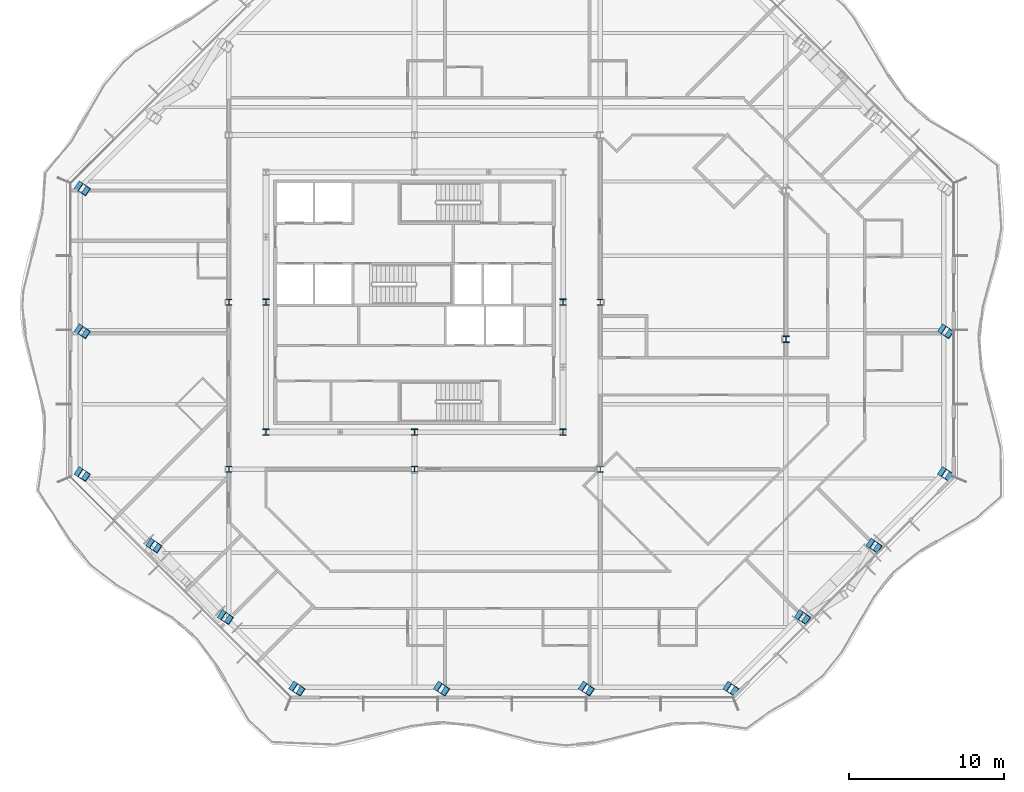
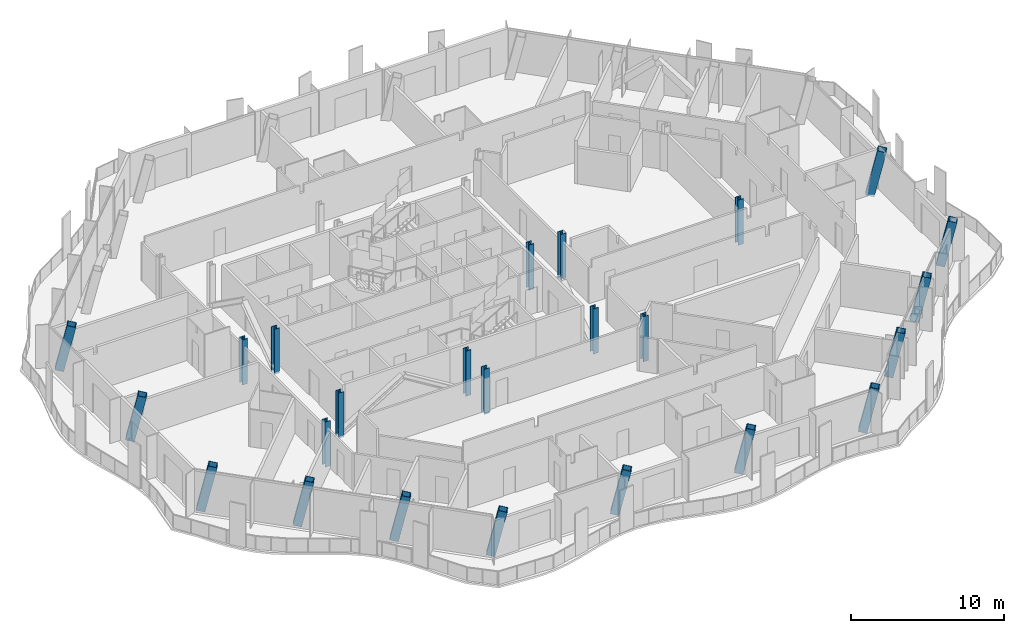
# One storey, part 1 of 19: 24 columns.
"""IFC4 building model written with IfcOpenShell, lengths in metres."""

import ifcopenshell
import ifcopenshell.guid

model = None  # the IFC model being written
_history = None  # IfcOwnerHistory: only IFC2X3 demands one
_inside = {}  # id of a spatial element -> (the spatial element, [elements in it])
_under = {}  # id of a project, library or spatial element -> (it, [spatial elements below it])
_declared = {}  # id of a project -> (the project, [libraries it declares])
_typed = {}  # id of a type object -> (the type object, [elements of that type])
_made_of = {}  # id of a material, layer set ... -> (it, [elements and type objects made of it])


def new_model(schema):
    """Start an empty IFC model of exactly this schema.

    Asked for "IFC4X3", IfcOpenShell would pick the latest addendum, in which some entities
    have other attributes; the version numbers below select the first issue.
    IFC2X3 requires an IfcOwnerHistory on every rooted entity: one is made here for all.
    """
    global model, _history
    if schema == "IFC4X3":
        model = ifcopenshell.file(schema_version=(4, 3, 0, 0))
    else:
        model = ifcopenshell.file(schema=schema)
    _inside.clear()
    _under.clear()
    _declared.clear()
    _typed.clear()
    _made_of.clear()
    _history = None
    if model.schema == "IFC2X3":
        org = make("IfcOrganization", Name="unknown")
        user = make(
            "IfcPersonAndOrganization",
            ThePerson=make("IfcPerson", FamilyName="unknown"),
            TheOrganization=org,
        )
        app = make(
            "IfcApplication",
            ApplicationDeveloper=org,
            Version="unknown",
            ApplicationFullName="unknown",
            ApplicationIdentifier="unknown",
        )
        _history = make(
            "IfcOwnerHistory",
            OwningUser=user,
            OwningApplication=app,
            ChangeAction="ADDED",
            CreationDate=0,
        )
    return model


def make(cls, **values):
    """One entity of the class cls with the attributes given. An attribute that is None is left unset."""
    return model.create_entity(
        cls, **{name: value for name, value in values.items() if value is not None}
    )


def rooted(cls, **values):
    """An entity with a GlobalId (a new one), such as an element, a storey or a relation."""
    return make(cls, GlobalId=ifcopenshell.guid.new(), OwnerHistory=_history, **values)


def si_unit(unit_type, name, prefix=None):
    """IfcSIUnit, for example si_unit("LENGTHUNIT", "METRE", prefix="MILLI")."""
    return make("IfcSIUnit", UnitType=unit_type, Prefix=prefix, Name=name)


def assignment(units):
    """IfcUnitAssignment: the units of a project."""
    return None if units is None else make("IfcUnitAssignment", Units=units)


def point(xyz):
    """IfcCartesianPoint."""
    return None if xyz is None else make("IfcCartesianPoint", Coordinates=xyz)


def direction(xyz):
    """IfcDirection."""
    return None if xyz is None else make("IfcDirection", DirectionRatios=xyz)


def frame(location, z_axis=None, x_axis=None):
    """IfcAxis2Placement3D, a coordinate frame: its origin and axes. An axis left out is left unset."""
    return make(
        "IfcAxis2Placement3D",
        Location=point(location),
        Axis=direction(z_axis),
        RefDirection=direction(x_axis),
    )


def frame_2d(location, x_axis=None):
    """IfcAxis2Placement2D, a coordinate frame in the plane: its origin and x axis."""
    return make(
        "IfcAxis2Placement2D", Location=point(location), RefDirection=direction(x_axis)
    )


def origin():
    """The frame at (0, 0, 0) with its axes left unset."""
    return frame((0.0, 0.0, 0.0))


def origin_2d():
    """The frame at (0, 0) in the plane with its x axis left unset."""
    return frame_2d((0.0, 0.0))


def place(relative_to, where):
    """IfcLocalPlacement: puts the frame where relative to a parent placement (None: the world)."""
    return make(
        "IfcLocalPlacement", PlacementRelTo=relative_to, RelativePlacement=where
    )


def context(
    kind, dimensions, precision=None, world=None, true_north=None, identifier=None
):
    """IfcGeometricRepresentationContext, for example the 3D "Model" context."""
    return make(
        "IfcGeometricRepresentationContext",
        ContextIdentifier=identifier,
        ContextType=kind,
        CoordinateSpaceDimension=dimensions,
        Precision=precision,
        WorldCoordinateSystem=world,
        TrueNorth=true_north,
    )


def subcontext(parent, identifier, kind, view, scale=None):
    """IfcGeometricRepresentationSubContext, for example "Body" below "Model"."""
    return make(
        "IfcGeometricRepresentationSubContext",
        ContextIdentifier=identifier,
        ContextType=kind,
        ParentContext=parent,
        TargetScale=scale,
        TargetView=view,
    )


def project(units=None, contexts=None):
    """IfcProject with its units and contexts."""
    return rooted(
        "IfcProject",
        Name="project",
        RepresentationContexts=contexts,
        UnitsInContext=assignment(units),
    )


def spatial(cls, under=None, at=None, **own):
    """A site, building, storey or space (cls), placed at a placement, below another one or the project."""
    s = rooted(cls, ObjectPlacement=at, **own)
    if under is not None:
        _under.setdefault(under.id(), (under, []))[1].append(s)
    return s


def profile(cls, at=None, kind="AREA", **sizes):
    """A parametric profile (cls). Its sizes go by their IFC names, for example OverallWidth=200.0."""
    return make(cls, ProfileType=kind, Position=at, **sizes)


def hollow_rectangle(**sizes):
    """IfcRectangleHollowProfileDef."""
    return profile("IfcRectangleHollowProfileDef", **sizes)


def i_section(**sizes):
    """IfcIShapeProfileDef."""
    return profile("IfcIShapeProfileDef", **sizes)


def extrude(swept, where, along, depth):
    """IfcExtrudedAreaSolid: the profile swept, set in the frame where, extruded along a direction by depth."""
    return make(
        "IfcExtrudedAreaSolid",
        SweptArea=swept,
        Position=where,
        ExtrudedDirection=direction(along),
        Depth=depth,
    )


def clip(a, b, op="DIFFERENCE"):
    """IfcBooleanClippingResult: the solid a cut by the half space b."""
    return make(
        "IfcBooleanClippingResult", Operator=op, FirstOperand=a, SecondOperand=b
    )


def halfspace(plane, agree):
    """IfcHalfSpaceSolid: all space on one side of the plane z = 0 of the frame plane."""
    return make(
        "IfcHalfSpaceSolid",
        BaseSurface=make("IfcPlane", Position=plane),
        AgreementFlag=agree,
    )


def shape(context_of_items, identifier, shape_type, items):
    """IfcShapeRepresentation: the items that make up one representation, for example the "Body"."""
    return make(
        "IfcShapeRepresentation",
        ContextOfItems=context_of_items,
        RepresentationIdentifier=identifier,
        RepresentationType=shape_type,
        Items=items,
    )


def material(Name=None, Category=None):
    """IfcMaterial."""
    return make("IfcMaterial", Name=Name, Category=Category)


def material_profile(
    of_material, cross_section, Name=None, Category=None, Priority=None
):
    """IfcMaterialProfile: a cross section and its material."""
    return make(
        "IfcMaterialProfile",
        Name=Name,
        Material=of_material,
        Profile=cross_section,
        Priority=Priority,
        Category=Category,
    )


def profile_set(profiles, Name=None, composite=None):
    """IfcMaterialProfileSet."""
    return make(
        "IfcMaterialProfileSet",
        Name=Name,
        MaterialProfiles=profiles,
        CompositeProfile=composite,
    )


def made_of(thing, what):
    """Note that an element or type object is made of a material, layer set ...; save() writes the relation."""
    if what is not None:
        _made_of.setdefault(what.id(), (what, []))[1].append(thing)
    return thing


def type_object(cls, material=None, **own):
    """A type object (cls), such as IfcWallType, which elements share."""
    return made_of(rooted(cls, **own), material)


def element(
    cls,
    number,
    at=None,
    inside=None,
    cuts=None,
    type_object=None,
    material=None,
    context=None,
    identifier="Body",
    shape_type=None,
    held_by="IfcProductDefinitionShape",
    body=None,
    shapes=None,
    **own,
):
    """One element of the class cls, such as IfcWall. Its Tag is "e" and its number.

    at: its placement. inside: the storey or other place that contains it. cuts: it is an
    opening in that element (IfcRelVoidsElement). A single representation is given by context,
    identifier, shape_type and body (its items); several are given by shapes. held_by: the class
    of the entity that holds the representations. save() writes the other relations.
    """
    e = rooted(cls, Tag="e%d" % number, ObjectPlacement=at, **own)
    if body is not None:
        shapes = [shape(context, identifier, shape_type, body)]
    if shapes is not None:
        e.Representation = make(held_by, Representations=shapes)
    if inside is not None:
        _inside.setdefault(inside.id(), (inside, []))[1].append(e)
    if cuts is not None:
        rooted(
            "IfcRelVoidsElement", RelatingBuildingElement=cuts, RelatedOpeningElement=e
        )
    if type_object is not None:
        _typed.setdefault(type_object.id(), (type_object, []))[1].append(e)
    return made_of(e, material)


def aggregate(whole, parts):
    """IfcRelAggregates: a whole, such as a stair, and the parts it consists of."""
    return rooted("IfcRelAggregates", RelatingObject=whole, RelatedObjects=parts)


def save(model, path):
    """Write the relations noted so far, then the file.

    IfcRelAggregates (storeys below a building ...), IfcRelContainedInSpatialStructure (elements
    in a storey), IfcRelDefinesByType, IfcRelAssociatesMaterial and IfcRelDeclares: one each for
    every whole, place, type object, material and project.
    """
    for whole, parts in _under.values():
        aggregate(whole, parts)
    for where, things in _inside.values():
        rooted(
            "IfcRelContainedInSpatialStructure",
            RelatedElements=things,
            RelatingStructure=where,
        )
    for kind, things in _typed.values():
        rooted("IfcRelDefinesByType", RelatedObjects=things, RelatingType=kind)
    for what, things in _made_of.values():
        rooted("IfcRelAssociatesMaterial", RelatedObjects=things, RelatingMaterial=what)
    for by, libraries in _declared.values():
        rooted("IfcRelDeclares", RelatingContext=by, RelatedDefinitions=libraries)
    model.write(path)


model = new_model("IFC4")

# Units and contexts
model_context = context("Model", 3, precision=1e-05, world=origin(), true_north=direction((0.0, 1.0)))
body_context = subcontext(model_context, "Body", "Model", "MODEL_VIEW")
ifc_project = project(units=[si_unit("LENGTHUNIT", "METRE"), si_unit("AREAUNIT", "SQUARE_METRE"), si_unit("VOLUMEUNIT", "CUBIC_METRE"), si_unit("PLANEANGLEUNIT", "RADIAN"), si_unit("MASSUNIT", "GRAM", prefix="KILO")], contexts=[model_context])

# Site, building, storey
site_placement = place(None, origin())
site = spatial("IfcSite", under=ifc_project, at=site_placement, CompositionType="ELEMENT")
building_placement = place(site_placement, origin())
building = spatial("IfcBuilding", under=site, at=building_placement, Name="Cairn Pilgrim Tower", CompositionType="ELEMENT")
storey_placement = place(building_placement, frame((0.0, 0.0, 193.800048828125)))
storey = spatial("IfcBuildingStorey", under=building, at=storey_placement, Name="L49", CompositionType="ELEMENT", Elevation=193.800048828125)

# Columns
ifc_material_1 = material(Name="Structural steel S460M", Category="steel")
ifc_material_profile_1 = material_profile(ifc_material_1, hollow_rectangle(XDim=0.60009765625, YDim=0.60009765625, WallThickness=0.034912109375, at=origin_2d()), Name="BOX 600x600x35")
ifc_profile_set_1 = profile_set([ifc_material_profile_1], Name="Structural steel S460M")
column_type_1 = type_object("IfcColumnType", Name="BOX 600x600x35", PredefinedType="COLUMN", material=ifc_profile_set_1)
column_1_placement = place(storey_placement, frame((-0.527099609375, -22.5, -0.150146484375), z_axis=(0.182857646312, -0.121927149838, 0.975549512489), x_axis=(0.554769659169, 0.83200398152, 0.0)))
element("IfcColumn", 1, at=column_1_placement, inside=storey, type_object=column_type_1, Name="PC2-S1", PredefinedType="COLUMN", context=body_context, shape_type="Clipping", body=[
    clip(clip(extrude(hollow_rectangle(XDim=0.60009765625, YDim=0.60009765625, WallThickness=0.034912109375, at=origin_2d()), origin(), (0.0, 0.0, 1.0), 3.6904296875), halfspace(frame((0.0, 0.0, 0.0205078125), z_axis=(0.0, 0.0, 1.0), x_axis=(1.0, 0.0, 0.0)), True)), halfspace(frame((0.0, 0.0, 3.668212890625), z_axis=(0.0, 0.0, 1.0), x_axis=(1.0, 0.0, 0.0)), False)),
])
column_2_placement = place(storey_placement, frame((8.82421875, -22.5, -0.150146484375), z_axis=(0.18292158996, -0.12192567461, 0.97553770906), x_axis=(0.55463074681, 0.832096589761, 0.0)))
element("IfcColumn", 2, at=column_2_placement, inside=storey, type_object=column_type_1, Name="PC2-S2", PredefinedType="COLUMN", context=body_context, shape_type="Clipping", body=[
    clip(clip(extrude(hollow_rectangle(XDim=0.60009765625, YDim=0.60009765625, WallThickness=0.034912109375, at=origin_2d()), origin(), (0.0, 0.0, 1.0), 3.6904296875), halfspace(frame((0.0, 0.0, 0.0205078125), z_axis=(0.0, 0.0, 1.0), x_axis=(1.0, 0.0, 0.0)), True)), halfspace(frame((0.0, 0.0, 3.66845703125), z_axis=(0.0, 0.0, 1.0), x_axis=(1.0, 0.0, 0.0)), False)),
])
column_3_placement = place(storey_placement, frame((18.17578125, -22.5, -0.150146484375), z_axis=(0.182857646312, -0.121927149838, 0.975549512489), x_axis=(0.554769659169, 0.83200398152, 0.0)))
element("IfcColumn", 3, at=column_3_placement, inside=storey, type_object=column_type_1, Name="PC2-S3", PredefinedType="COLUMN", context=body_context, shape_type="Clipping", body=[
    clip(clip(extrude(hollow_rectangle(XDim=0.60009765625, YDim=0.60009765625, WallThickness=0.034912109375, at=origin_2d()), origin(), (0.0, 0.0, 1.0), 3.6904296875), halfspace(frame((0.0, 0.0, 0.0205078125), z_axis=(0.0, 0.0, 1.0), x_axis=(1.0, 0.0, 0.0)), True)), halfspace(frame((0.0, 0.0, 3.668212890625), z_axis=(0.0, 0.0, 1.0), x_axis=(1.0, 0.0, 0.0)), False)),
])
column_4_placement = place(storey_placement, frame((27.527099609375, -22.5, -0.150146484375), z_axis=(0.18292158996, -0.12192567461, 0.97553770906), x_axis=(0.55463074681, 0.832096589761, 0.0)))
element("IfcColumn", 4, at=column_4_placement, inside=storey, type_object=column_type_1, Name="PC2-SE1", PredefinedType="COLUMN", context=body_context, shape_type="Clipping", body=[
    clip(clip(extrude(hollow_rectangle(XDim=0.60009765625, YDim=0.60009765625, WallThickness=0.034912109375, at=origin_2d()), origin(), (0.0, 0.0, 1.0), 3.6904296875), halfspace(frame((0.0, 0.0, 0.0205078125), z_axis=(0.0, 0.0, 1.0), x_axis=(1.0, 0.0, 0.0)), True)), halfspace(frame((0.0, 0.0, 3.66845703125), z_axis=(0.0, 0.0, 1.0), x_axis=(1.0, 0.0, 0.0)), False)),
])
column_5_placement = place(storey_placement, frame((32.151611328125, -17.875732421875, -0.150146484375), z_axis=(0.182857646312, -0.121927149838, 0.975549512489), x_axis=(0.554769659169, 0.83200398152, 0.0)))
element("IfcColumn", 5, at=column_5_placement, inside=storey, type_object=column_type_1, Name="PC2-SE2", PredefinedType="COLUMN", context=body_context, shape_type="Clipping", body=[
    clip(clip(extrude(hollow_rectangle(XDim=0.60009765625, YDim=0.60009765625, WallThickness=0.034912109375, at=origin_2d()), origin(), (0.0, 0.0, 1.0), 3.6904296875), halfspace(frame((0.0, 0.0, 0.0205078125), z_axis=(0.0, 0.0, 1.0), x_axis=(1.0, 0.0, 0.0)), True)), halfspace(frame((0.0, 0.0, 3.668212890625), z_axis=(0.0, 0.0, 1.0), x_axis=(1.0, 0.0, 0.0)), False)),
])
for number, where, z_axis, x_axis, name in (
    (6, (36.775634765625, -13.25146484375, -0.150146484375), (0.18292158996, -0.12192567461, 0.97553770906), (0.55463074681, 0.832096589761, 0.0), "PC2-SE3"),
    (7, (41.39990234375, -8.627197265625, -0.150146484375), (0.18292158996, -0.12192567461, 0.97553770906), (0.55463074681, 0.832096589761, 0.0), "PC2-E1"),
    (8, (41.39990234375, 0.60009765625, -0.150146484375), (0.182920114109, -0.121990846444, 0.97552983821), (0.554839060281, 0.831957701561, 0.0), "PC2-E2"),
):
    element("IfcColumn", number, at=place(storey_placement, frame(where, z_axis=z_axis, x_axis=x_axis)), inside=storey, type_object=column_type_1, Name=name, PredefinedType="COLUMN", context=body_context, shape_type="Clipping", body=[
        clip(clip(extrude(hollow_rectangle(XDim=0.60009765625, YDim=0.60009765625, WallThickness=0.034912109375, at=origin_2d()), origin(), (0.0, 0.0, 1.0), 3.6904296875), halfspace(frame((0.0, 0.0, 0.0205078125), z_axis=(0.0, 0.0, 1.0), x_axis=(1.0, 0.0, 0.0)), True)), halfspace(frame((0.0, 0.0, 3.66845703125), z_axis=(0.0, 0.0, 1.0), x_axis=(1.0, 0.0, 0.0)), False)),
    ])
column_6_placement = place(storey_placement, frame((-14.39990234375, 9.8271484375, -0.150146484375), z_axis=(0.182857646312, -0.121927149838, 0.975549512489), x_axis=(0.554769659169, 0.83200398152, 0.0)))
element("IfcColumn", 9, at=column_6_placement, inside=storey, type_object=column_type_1, Name="PC2-W1", PredefinedType="COLUMN", context=body_context, shape_type="Clipping", body=[
    clip(clip(extrude(hollow_rectangle(XDim=0.60009765625, YDim=0.60009765625, WallThickness=0.034912109375, at=origin_2d()), origin(), (0.0, 0.0, 1.0), 3.6904296875), halfspace(frame((0.0, 0.0, 0.0205078125), z_axis=(0.0, 0.0, 1.0), x_axis=(1.0, 0.0, 0.0)), True)), halfspace(frame((0.0, 0.0, 3.668212890625), z_axis=(0.0, 0.0, 1.0), x_axis=(1.0, 0.0, 0.0)), False)),
])
column_7_placement = place(storey_placement, frame((-14.39990234375, 0.60009765625, -0.150146484375), z_axis=(0.182856170941, -0.121992322437, 0.975541641354), x_axis=(0.55497797841, 0.831865039222, 0.0)))
element("IfcColumn", 10, at=column_7_placement, inside=storey, type_object=column_type_1, Name="PC2-W2", PredefinedType="COLUMN", context=body_context, shape_type="Clipping", body=[
    clip(clip(extrude(hollow_rectangle(XDim=0.60009765625, YDim=0.60009765625, WallThickness=0.034912109375, at=origin_2d()), origin(), (0.0, 0.0, 1.0), 3.6904296875), halfspace(frame((0.0, 0.0, 0.0205078125), z_axis=(0.0, 0.0, 1.0), x_axis=(1.0, 0.0, 0.0)), True)), halfspace(frame((0.0, 0.0, 3.66845703125), z_axis=(0.0, 0.0, 1.0), x_axis=(1.0, 0.0, 0.0)), False)),
])
column_8_placement = place(storey_placement, frame((-14.39990234375, -8.627197265625, -0.150146484375), z_axis=(0.182857646312, -0.121927149838, 0.975549512489), x_axis=(0.554769659169, 0.83200398152, 0.0)))
element("IfcColumn", 11, at=column_8_placement, inside=storey, type_object=column_type_1, Name="PC2-SW1", PredefinedType="COLUMN", context=body_context, shape_type="Clipping", body=[
    clip(clip(extrude(hollow_rectangle(XDim=0.60009765625, YDim=0.60009765625, WallThickness=0.034912109375, at=origin_2d()), origin(), (0.0, 0.0, 1.0), 3.6904296875), halfspace(frame((0.0, 0.0, 0.0205078125), z_axis=(0.0, 0.0, 1.0), x_axis=(1.0, 0.0, 0.0)), True)), halfspace(frame((0.0, 0.0, 3.668212890625), z_axis=(0.0, 0.0, 1.0), x_axis=(1.0, 0.0, 0.0)), False)),
])
for number, where, z_axis, x_axis, name in (
    (12, (-9.775634765625, -13.25146484375, -0.150146484375), (0.18292158996, -0.12192567461, 0.97553770906), (0.55463074681, 0.832096589761, 0.0), "PC2-SW2"),
    (13, (-5.151611328125, -17.875732421875, -0.150146484375), (0.18292158996, -0.12192567461, 0.97553770906), (0.55463074681, 0.832096589761, 0.0), "PC2-SW3"),
):
    element("IfcColumn", number, at=place(storey_placement, frame(where, z_axis=z_axis, x_axis=x_axis)), inside=storey, type_object=column_type_1, Name=name, PredefinedType="COLUMN", context=body_context, shape_type="Clipping", body=[
        clip(clip(extrude(hollow_rectangle(XDim=0.60009765625, YDim=0.60009765625, WallThickness=0.034912109375, at=origin_2d()), origin(), (0.0, 0.0, 1.0), 3.6904296875), halfspace(frame((0.0, 0.0, 0.0205078125), z_axis=(0.0, 0.0, 1.0), x_axis=(1.0, 0.0, 0.0)), True)), halfspace(frame((0.0, 0.0, 3.66845703125), z_axis=(0.0, 0.0, 1.0), x_axis=(1.0, 0.0, 0.0)), False)),
    ])
ifc_material_2 = material(Name="Structural steel S355J2", Category="steel")
ifc_material_profile_2 = material_profile(ifc_material_2, i_section(OverallWidth=0.39892578125, OverallDepth=0.39306640625, WebThickness=0.022705078125, FlangeThickness=0.03662109375, FilletRadius=0.014892578125, at=origin_2d()), Name="HD 400x287")
ifc_profile_set_2 = profile_set([ifc_material_profile_2], Name="Structural steel S355J2")
column_type_2 = type_object("IfcColumnType", Name="HD 400x287", PredefinedType="COLUMN", material=ifc_profile_set_2)
for number, where, z_axis, x_axis, name in (
    (14, (-4.800048828125, -8.39990234375, -0.150146484375), (0.0, 0.0, 1.0), (1.0, 0.0, 0.0), "IC-1"),
    (15, (7.199951171875, -8.39990234375, -0.150146484375), (0.0, 0.0, 1.0), (1.0, 0.0, 0.0), "IC-2"),
    (16, (19.199951171875, -8.39990234375, -0.150146484375), (0.0, 0.0, 1.0), (1.0, 0.0, 0.0), "IC-3"),
    (17, (-4.800048828125, 2.39990234375, -0.150146484375), (0.0, 0.0, 1.0), (1.0, 0.0, 0.0), "IC-4"),
    (18, (19.199951171875, 2.39990234375, -0.150146484375), (0.0, 0.0, 1.0), (1.0, 0.0, 0.0), "IC-5"),
):
    element("IfcColumn", number, at=place(storey_placement, frame(where, z_axis=z_axis, x_axis=x_axis)), inside=storey, type_object=column_type_2, Name=name, PredefinedType="COLUMN", context=body_context, shape_type="SweptSolid", body=[
        extrude(i_section(OverallWidth=0.39892578125, OverallDepth=0.39306640625, WebThickness=0.022705078125, FlangeThickness=0.03662109375, FilletRadius=0.014892578125, at=origin_2d()), origin(), (0.0, 0.0, 1.0), 3.60009765625),
    ])
ifc_material_profile_3 = material_profile(ifc_material_1, i_section(OverallWidth=0.404052734375, OverallDepth=0.406982421875, WebThickness=0.027099609375, FlangeThickness=0.043701171875, FilletRadius=0.014892578125, at=origin_2d()), Name="HD 400x347")
ifc_profile_set_3 = profile_set([ifc_material_profile_3], Name="Structural steel S460M")
column_type_3 = type_object("IfcColumnType", Name="HD 400x347", PredefinedType="COLUMN", material=ifc_profile_set_3)
for number, where, z_axis, x_axis, name in (
    (19, (-2.39990234375, -6.0, -0.150146484375), (0.0, 0.0, 1.0), (1.0, 0.0, 0.0), "KC-1"),
    (20, (7.199951171875, -6.0, -0.150146484375), (0.0, 0.0, 1.0), (1.0, 0.0, 0.0), "KC-2"),
    (21, (16.800048828125, -6.0, -0.150146484375), (0.0, 0.0, 1.0), (1.0, 0.0, 0.0), "KC-3"),
    (22, (-2.39990234375, 2.39990234375, -0.150146484375), (0.0, 0.0, 1.0), (1.0, 0.0, 0.0), "KC-4"),
    (23, (16.800048828125, 2.39990234375, -0.150146484375), (0.0, 0.0, 1.0), (1.0, 0.0, 0.0), "KC-5"),
):
    element("IfcColumn", number, at=place(storey_placement, frame(where, z_axis=z_axis, x_axis=x_axis)), inside=storey, type_object=column_type_3, Name=name, PredefinedType="COLUMN", context=body_context, shape_type="SweptSolid", body=[
        extrude(i_section(OverallWidth=0.404052734375, OverallDepth=0.406982421875, WebThickness=0.027099609375, FlangeThickness=0.043701171875, FilletRadius=0.014892578125, at=origin_2d()), origin(), (0.0, 0.0, 1.0), 3.60009765625),
    ])
ifc_material_profile_4 = material_profile(ifc_material_1, i_section(OverallWidth=0.408935546875, OverallDepth=0.425048828125, WebThickness=0.03271484375, FlangeThickness=0.052490234375, FilletRadius=0.014892578125, at=origin_2d()), Name="HD 400x421")
ifc_profile_set_4 = profile_set([ifc_material_profile_4], Name="Structural steel S460M")
column_type_4 = type_object("IfcColumnType", Name="HD 400x421", PredefinedType="COLUMN", material=ifc_profile_set_4)
column_9_placement = place(storey_placement, frame((31.199951171875, 0.0, -0.150146484375), z_axis=(0.0, 0.0, 1.0), x_axis=(1.0, 0.0, 0.0)))
element("IfcColumn", 24, at=column_9_placement, inside=storey, type_object=column_type_4, Name="WC-WE+0", PredefinedType="COLUMN", context=body_context, shape_type="SweptSolid", body=[
    extrude(i_section(OverallWidth=0.408935546875, OverallDepth=0.425048828125, WebThickness=0.03271484375, FlangeThickness=0.052490234375, FilletRadius=0.014892578125, at=origin_2d()), origin(), (0.0, 0.0, 1.0), 3.60009765625),
])

save(model, "model.ifc")
